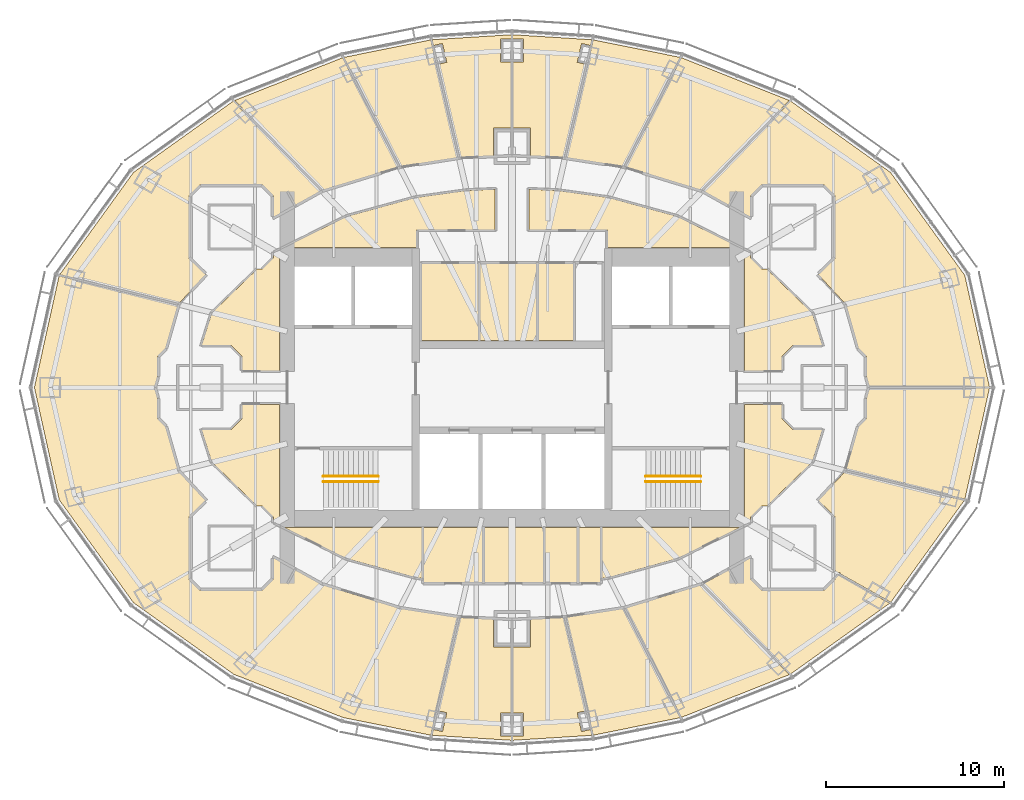
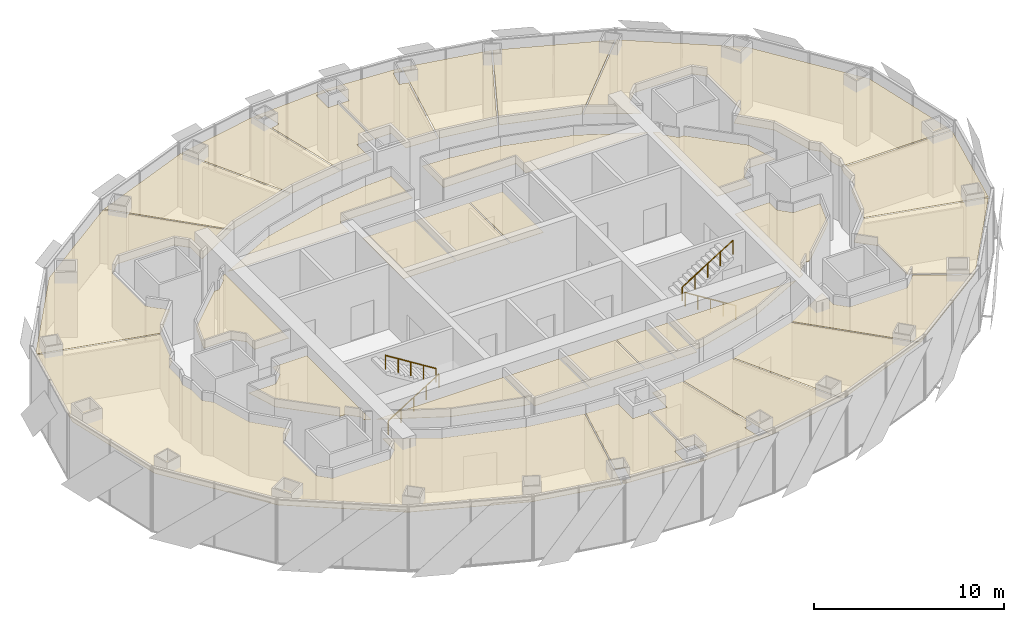
# One storey, part 19 of 19: 31 coverings, 4 railings.
"""IFC4 building model written with IfcOpenShell, lengths in metres."""

from ifc_helpers import new_model, si_unit, direction, frame, origin, origin_2d, place, context, subcontext, project, spatial, polyline, circle, outline, extrude, material, layer, layer_set, type_object, element, save


model = new_model("IFC4")

# Units and contexts
model_context = context("Model", 3, precision=1e-05, world=origin(), true_north=direction((0.0, 1.0)))
body_context = subcontext(model_context, "Body", "Model", "MODEL_VIEW")
ifc_project = project(units=[si_unit("LENGTHUNIT", "METRE"), si_unit("AREAUNIT", "SQUARE_METRE"), si_unit("VOLUMEUNIT", "CUBIC_METRE"), si_unit("PLANEANGLEUNIT", "RADIAN"), si_unit("MASSUNIT", "GRAM", prefix="KILO")], contexts=[model_context])

# Site, building, storey
site_placement = place(None, origin())
site = spatial("IfcSite", under=ifc_project, at=site_placement, CompositionType="ELEMENT")
building_placement = place(site_placement, origin())
building = spatial("IfcBuilding", under=site, at=building_placement, Name="Lantaw Convention Tower", CompositionType="ELEMENT")
storey_placement = place(building_placement, frame((0.0, 0.0, 245.199951171875)))
storey = spatial("IfcBuildingStorey", under=building, at=storey_placement, Name="L57", CompositionType="ELEMENT", Elevation=245.199951171875)

# Railings
ifc_material_1 = material(Name="Stainless steel", Category="steel")
railing_type = type_object("IfcRailingType", Name="Stair handrail", PredefinedType="HANDRAIL", material=ifc_material_1)
railing_1_placement = place(storey_placement, frame((-10.580078125, -5.280029296875, 0.175048828125)))
element("IfcRailing", 1, at=railing_1_placement, inside=storey, type_object=railing_type, Name="Stair handrail S1", PredefinedType="HANDRAIL", context=body_context, shape_type="SweptSolid", body=[
    extrude(circle(Radius=0.02392578125, at=origin_2d()), frame((0.0, 0.0, 0.8759765625), z_axis=(0.847998304005, 0.0, 0.529998940003), x_axis=(0.0, 1.0, 0.0)), (0.0, 0.0, 1.0), 3.632080078125),
    extrude(circle(Radius=0.02099609375, at=origin_2d()), origin(), (0.0, 0.0, 1.0), 0.851806640625),
    extrude(circle(Radius=0.02099609375, at=origin_2d()), frame((0.77001953125, 0.0, 0.481201171875)), (0.0, 0.0, 1.0), 0.851806640625),
    extrude(circle(Radius=0.02099609375, at=origin_2d()), frame((1.5400390625, 0.0, 0.96240234375)), (0.0, 0.0, 1.0), 0.851806640625),
    extrude(circle(Radius=0.02099609375, at=origin_2d()), frame((2.31005859375, 0.0, 1.44384765625)), (0.0, 0.0, 1.0), 0.851806640625),
    extrude(circle(Radius=0.02099609375, at=origin_2d()), frame((3.080078125, 0.0, 1.925048828125)), (0.0, 0.0, 1.0), 0.851806640625),
])
railing_2_placement = place(storey_placement, frame((-7.5, -4.97998046875, 2.275146484375)))
element("IfcRailing", 2, at=railing_2_placement, inside=storey, type_object=railing_type, Name="Stair handrail S1", PredefinedType="HANDRAIL", context=body_context, shape_type="SweptSolid", body=[
    extrude(circle(Radius=0.02392578125, at=origin_2d()), frame((0.0, 0.0, 0.8759765625), z_axis=(-0.848028513186, 0.0, 0.529950602248), x_axis=(0.0, -1.0, 0.0)), (0.0, 0.0, 1.0), 3.632080078125),
    extrude(circle(Radius=0.02099609375, at=origin_2d()), origin(), (0.0, 0.0, 1.0), 0.851806640625),
    extrude(circle(Radius=0.02099609375, at=origin_2d()), frame((-0.77001953125, 0.0, 0.481201171875)), (0.0, 0.0, 1.0), 0.851806640625),
    extrude(circle(Radius=0.02099609375, at=origin_2d()), frame((-1.5400390625, 0.0, 0.96240234375)), (0.0, 0.0, 1.0), 0.851806640625),
    extrude(circle(Radius=0.02099609375, at=origin_2d()), frame((-2.31005859375, 0.0, 1.443603515625)), (0.0, 0.0, 1.0), 0.851806640625),
    extrude(circle(Radius=0.02099609375, at=origin_2d()), frame((-3.080078125, 0.0, 1.9248046875)), (0.0, 0.0, 1.0), 0.851806640625),
])
railing_3_placement = place(storey_placement, frame((10.580078125, -5.280029296875, 0.175048828125)))
element("IfcRailing", 3, at=railing_3_placement, inside=storey, type_object=railing_type, Name="Stair handrail S2", PredefinedType="HANDRAIL", context=body_context, shape_type="SweptSolid", body=[
    extrude(circle(Radius=0.02392578125, at=origin_2d()), frame((0.0, 0.0, 0.8759765625), z_axis=(-0.847998304005, 0.0, 0.529998940003), x_axis=(0.0, -1.0, 0.0)), (0.0, 0.0, 1.0), 3.632080078125),
    extrude(circle(Radius=0.02099609375, at=origin_2d()), origin(), (0.0, 0.0, 1.0), 0.851806640625),
    extrude(circle(Radius=0.02099609375, at=origin_2d()), frame((-0.77001953125, 0.0, 0.481201171875)), (0.0, 0.0, 1.0), 0.851806640625),
    extrude(circle(Radius=0.02099609375, at=origin_2d()), frame((-1.5400390625, 0.0, 0.96240234375)), (0.0, 0.0, 1.0), 0.851806640625),
    extrude(circle(Radius=0.02099609375, at=origin_2d()), frame((-2.31005859375, 0.0, 1.44384765625)), (0.0, 0.0, 1.0), 0.851806640625),
    extrude(circle(Radius=0.02099609375, at=origin_2d()), frame((-3.080078125, 0.0, 1.925048828125)), (0.0, 0.0, 1.0), 0.851806640625),
])
railing_4_placement = place(storey_placement, frame((7.5, -4.97998046875, 2.275146484375)))
element("IfcRailing", 4, at=railing_4_placement, inside=storey, type_object=railing_type, Name="Stair handrail S2", PredefinedType="HANDRAIL", context=body_context, shape_type="SweptSolid", body=[
    extrude(circle(Radius=0.02392578125, at=origin_2d()), frame((0.0, 0.0, 0.8759765625), z_axis=(0.848028513186, 0.0, 0.529950602248), x_axis=(0.0, 1.0, 0.0)), (0.0, 0.0, 1.0), 3.632080078125),
    extrude(circle(Radius=0.02099609375, at=origin_2d()), origin(), (0.0, 0.0, 1.0), 0.851806640625),
    extrude(circle(Radius=0.02099609375, at=origin_2d()), frame((0.77001953125, 0.0, 0.481201171875)), (0.0, 0.0, 1.0), 0.851806640625),
    extrude(circle(Radius=0.02099609375, at=origin_2d()), frame((1.5400390625, 0.0, 0.96240234375)), (0.0, 0.0, 1.0), 0.851806640625),
    extrude(circle(Radius=0.02099609375, at=origin_2d()), frame((2.31005859375, 0.0, 1.443603515625)), (0.0, 0.0, 1.0), 0.851806640625),
    extrude(circle(Radius=0.02099609375, at=origin_2d()), frame((3.080078125, 0.0, 1.9248046875)), (0.0, 0.0, 1.0), 0.851806640625),
])

# Coverings
ifc_material_2 = material(Name="Gypsum board on steel suspension grid", Category="steel")
ifc_layer = layer(ifc_material_2, 0.02001953125)
ifc_layer_set = layer_set([ifc_layer], Name="Suspended ceiling")
covering_type = type_object("IfcCoveringType", Name="Suspended ceiling", PredefinedType="CEILING", material=ifc_layer_set)
covering_1_placement = place(storey_placement, frame((0.0, 0.0, 3.449951171875)))
element("IfcCovering", 5, at=covering_1_placement, inside=storey, type_object=covering_type, Name="Male WC ceiling", PredefinedType="CEILING", context=body_context, shape_type="SweptSolid", body=[
    extrude(outline(polyline([(-5.080078125, 2.639892578125), (-1.88330078125, 2.639892578125), (-1.88330078125, 6.9599609375), (-5.080078125, 6.9599609375), (-5.080078125, 2.639892578125)])), origin(), (0.0, 0.0, 1.0), 0.02001953125),
])
covering_2_placement = place(storey_placement, frame((0.0, 0.0, 3.449951171875)))
element("IfcCovering", 6, at=covering_2_placement, inside=storey, type_object=covering_type, Name="Female WC ceiling", PredefinedType="CEILING", context=body_context, shape_type="SweptSolid", body=[
    extrude(outline(polyline([(-1.80322265625, 2.639892578125), (1.3935546875, 2.639892578125), (1.3935546875, 6.9599609375), (-1.80322265625, 6.9599609375), (-1.80322265625, 2.639892578125)])), origin(), (0.0, 0.0, 1.0), 0.02001953125),
])
covering_3_placement = place(storey_placement, frame((0.0, 0.0, 3.449951171875)))
element("IfcCovering", 7, at=covering_3_placement, inside=storey, type_object=covering_type, Name="Accessible WC ceiling", PredefinedType="CEILING", context=body_context, shape_type="SweptSolid", body=[
    extrude(outline(polyline([(1.4736328125, 2.639892578125), (3.441650390625, 2.639892578125), (3.441650390625, 6.9599609375), (1.4736328125, 6.9599609375), (1.4736328125, 2.639892578125)])), origin(), (0.0, 0.0, 1.0), 0.02001953125),
])
covering_4_placement = place(storey_placement, frame((0.0, 0.0, 3.449951171875)))
element("IfcCovering", 8, at=covering_4_placement, inside=storey, type_object=covering_type, Name="Male WC ceiling", PredefinedType="CEILING", context=body_context, shape_type="SweptSolid", body=[
    extrude(outline(polyline([(-4.9599609375, -10.947021484375), (-1.639892578125, -10.947021484375), (-1.639892578125, -7.840087890625), (-4.9599609375, -7.840087890625), (-4.9599609375, -10.947021484375)])), origin(), (0.0, 0.0, 1.0), 0.02001953125),
])
covering_5_placement = place(storey_placement, frame((0.0, 0.0, 3.449951171875)))
element("IfcCovering", 9, at=covering_5_placement, inside=storey, type_object=covering_type, Name="Female WC ceiling", PredefinedType="CEILING", context=body_context, shape_type="SweptSolid", body=[
    extrude(outline(polyline([(-1.56005859375, -10.947021484375), (1.760009765625, -10.947021484375), (1.760009765625, -7.840087890625), (-1.56005859375, -7.840087890625), (-1.56005859375, -10.947021484375)])), origin(), (0.0, 0.0, 1.0), 0.02001953125),
])
covering_6_placement = place(storey_placement, frame((0.0, 0.0, 3.449951171875)))
element("IfcCovering", 10, at=covering_6_placement, inside=storey, type_object=covering_type, Name="Accessible WC ceiling", PredefinedType="CEILING", context=body_context, shape_type="SweptSolid", body=[
    extrude(outline(polyline([(1.840087890625, -10.947021484375), (3.659912109375, -10.947021484375), (3.659912109375, -7.840087890625), (1.840087890625, -7.840087890625), (1.840087890625, -10.947021484375)])), origin(), (0.0, 0.0, 1.0), 0.02001953125),
])
covering_7_placement = place(storey_placement, frame((0.0, 0.0, 3.449951171875)))
element("IfcCovering", 11, at=covering_7_placement, inside=storey, type_object=covering_type, Name="Pantry ceiling", PredefinedType="CEILING", context=body_context, shape_type="SweptSolid", body=[
    extrude(outline(polyline([(3.739990234375, -10.947021484375), (4.9599609375, -10.947021484375), (4.9599609375, -7.840087890625), (3.739990234375, -7.840087890625), (3.739990234375, -10.947021484375)])), origin(), (0.0, 0.0, 1.0), 0.02001953125),
])
covering_8_placement = place(storey_placement, frame((0.0, 0.0, 3.449951171875)))
element("IfcCovering", 12, at=covering_8_placement, inside=storey, type_object=covering_type, Name="Meeting room ceiling", PredefinedType="CEILING", context=body_context, shape_type="SweptSolid", body=[
    extrude(outline(polyline([(-13.385009765625, -7.518798828125), (-13.3134765625, -7.587890625), (-13.0400390625, -7.723876953125), (-13.0400390625, -0.93994140625), (-15.135009765625, -0.93994140625), (-15.135009765625, -1.7412109375), (-15.7587890625, -2.364990234375), (-17.4091796875, -2.364990234375), (-16.8330078125, -4.18408203125), (-14.298828125, -6.635009765625), (-14.0087890625, -6.635009765625), (-13.385009765625, -7.2587890625), (-13.385009765625, -7.518798828125)])), origin(), (0.0, 0.0, 1.0), 0.02001953125),
])
covering_9_placement = place(storey_placement, frame((0.0, 0.0, 3.449951171875)))
element("IfcCovering", 13, at=covering_9_placement, inside=storey, type_object=covering_type, Name="Project room ceiling", PredefinedType="CEILING", context=body_context, shape_type="SweptSolid", body=[
    extrude(outline(polyline([(-5.0400390625, -7.840087890625), (-12.806396484375, -7.840087890625), (-9.283447265625, -9.590576171875), (-5.437255859375, -10.647705078125), (-5.0400390625, -10.702880859375), (-5.0400390625, -7.840087890625)])), origin(), (0.0, 0.0, 1.0), 0.02001953125),
])
covering_10_placement = place(storey_placement, frame((0.0, 0.0, 3.449951171875)))
element("IfcCovering", 14, at=covering_10_placement, inside=storey, type_object=covering_type, Name="Tenant storage room ceiling", PredefinedType="CEILING", context=body_context, shape_type="SweptSolid", body=[
    extrude(outline(polyline([(5.0400390625, -7.840087890625), (5.0400390625, -10.702880859375), (5.437255859375, -10.647705078125), (9.283447265625, -9.590576171875), (12.806396484375, -7.840087890625), (5.0400390625, -7.840087890625)])), origin(), (0.0, 0.0, 1.0), 0.02001953125),
])
covering_11_placement = place(storey_placement, frame((0.0, 0.0, 3.449951171875)))
element("IfcCovering", 15, at=covering_11_placement, inside=storey, type_object=covering_type, Name="Meeting room ceiling", PredefinedType="CEILING", context=body_context, shape_type="SweptSolid", body=[
    extrude(outline(polyline([(16.8330078125, -4.18408203125), (17.4091796875, -2.364990234375), (15.7587890625, -2.364990234375), (15.135009765625, -1.7412109375), (15.135009765625, -0.93994140625), (13.0400390625, -0.93994140625), (13.0400390625, -7.723876953125), (13.3134765625, -7.587890625), (13.385009765625, -7.518798828125), (13.385009765625, -7.2587890625), (14.0087890625, -6.635009765625), (14.298828125, -6.635009765625), (16.8330078125, -4.18408203125)])), origin(), (0.0, 0.0, 1.0), 0.02001953125),
])
covering_12_placement = place(storey_placement, frame((0.0, 0.0, 3.449951171875)))
element("IfcCovering", 16, at=covering_12_placement, inside=storey, type_object=covering_type, Name="Copy and print room ceiling", PredefinedType="CEILING", context=body_context, shape_type="SweptSolid", body=[
    extrude(outline(polyline([(13.385009765625, 7.518798828125), (13.3134765625, 7.587890625), (13.0400390625, 7.723876953125), (13.0400390625, 0.93994140625), (15.135009765625, 0.93994140625), (15.135009765625, 1.7412109375), (15.7587890625, 2.364990234375), (17.4091796875, 2.364990234375), (16.8330078125, 4.18408203125), (14.298828125, 6.635009765625), (14.0087890625, 6.635009765625), (13.385009765625, 7.2587890625), (13.385009765625, 7.518798828125)])), origin(), (0.0, 0.0, 1.0), 0.02001953125),
])
covering_13_placement = place(storey_placement, frame((0.0, 0.0, 3.449951171875)))
element("IfcCovering", 17, at=covering_13_placement, inside=storey, type_object=covering_type, Name="Project room ceiling", PredefinedType="CEILING", context=body_context, shape_type="SweptSolid", body=[
    extrude(outline(polyline([(5.360107421875, 7.840087890625), (12.806396484375, 7.840087890625), (9.283447265625, 9.590576171875), (5.437255859375, 10.647705078125), (2.556396484375, 11.048828125), (0.93994140625, 11.119140625), (0.93994140625, 8.840087890625), (5.360107421875, 8.840087890625), (5.360107421875, 7.840087890625)])), origin(), (0.0, 0.0, 1.0), 0.02001953125),
])
covering_14_placement = place(storey_placement, frame((0.0, 0.0, 3.449951171875)))
element("IfcCovering", 18, at=covering_14_placement, inside=storey, type_object=covering_type, Name="Meeting room ceiling", PredefinedType="CEILING", context=body_context, shape_type="SweptSolid", body=[
    extrude(outline(polyline([(-12.806396484375, 7.840087890625), (-5.360107421875, 7.840087890625), (-5.360107421875, 8.840087890625), (-0.93994140625, 8.840087890625), (-0.93994140625, 11.119140625), (-2.556396484375, 11.048828125), (-5.437255859375, 10.647705078125), (-9.283447265625, 9.590576171875), (-12.806396484375, 7.840087890625)])), origin(), (0.0, 0.0, 1.0), 0.02001953125),
])
covering_15_placement = place(storey_placement, frame((0.0, 0.0, 3.449951171875)))
element("IfcCovering", 19, at=covering_15_placement, inside=storey, type_object=covering_type, Name="Comms room ceiling", PredefinedType="CEILING", context=body_context, shape_type="SweptSolid", body=[
    extrude(outline(polyline([(-15.135009765625, 1.7412109375), (-15.135009765625, 0.93994140625), (-13.0400390625, 0.93994140625), (-13.0400390625, 7.723876953125), (-13.3134765625, 7.587890625), (-13.385009765625, 7.518798828125), (-13.385009765625, 7.2587890625), (-14.0087890625, 6.635009765625), (-14.298828125, 6.635009765625), (-16.8330078125, 4.18408203125), (-17.4091796875, 2.364990234375), (-15.7587890625, 2.364990234375), (-15.135009765625, 1.7412109375)])), origin(), (0.0, 0.0, 1.0), 0.02001953125),
])
covering_16_placement = place(storey_placement, frame((0.0, 0.0, 3.449951171875)))
element("IfcCovering", 20, at=covering_16_placement, inside=storey, type_object=covering_type, Name="Reception ceiling", PredefinedType="CEILING", context=body_context, shape_type="SweptSolid", body=[
    extrude(outline(polyline([(17.1728515625, 6.328125), (18.709228515625, 4.676025390625), (19.418212890625, 2.18798828125), (19.864990234375, 1.7412109375), (19.864990234375, 0.61962890625), (20.0302734375, 0.0400390625), (26.77099609375, 0.0400390625), (25.388916015625, 6.290283203125), (21.224365234375, 12.061767578125), (15.62890625, 16.059326171875), (10.6982421875, 11.020263671875), (13.385009765625, 9.533935546875), (13.385009765625, 10.7412109375), (14.0087890625, 11.364990234375), (17.4912109375, 11.364990234375), (18.114990234375, 10.7412109375), (18.114990234375, 7.2587890625), (17.4912109375, 6.635009765625), (17.47900390625, 6.635009765625), (17.1728515625, 6.328125)])), origin(), (0.0, 0.0, 1.0), 0.02001953125),
])
covering_17_placement = place(storey_placement, frame((0.0, 0.0, 3.449951171875)))
element("IfcCovering", 21, at=covering_17_placement, inside=storey, type_object=covering_type, Name="Private office ceiling", PredefinedType="CEILING", context=body_context, shape_type="SweptSolid", body=[
    extrude(outline(polyline([(10.621337890625, 11.055908203125), (15.553466796875, 16.096923828125), (9.503173828125, 18.49267578125), (6.345458984375, 12.364990234375), (10.621337890625, 11.055908203125)])), origin(), (0.0, 0.0, 1.0), 0.02001953125),
])
covering_18_placement = place(storey_placement, frame((0.0, 0.0, 3.449951171875)))
element("IfcCovering", 22, at=covering_18_placement, inside=storey, type_object=covering_type, Name="Private office ceiling", PredefinedType="CEILING", context=body_context, shape_type="SweptSolid", body=[
    extrude(outline(polyline([(6.265625, 12.384765625), (9.42431640625, 18.514404296875), (4.55859375, 19.492919921875), (3.016845703125, 12.888916015625), (6.265625, 12.384765625)])), origin(), (0.0, 0.0, 1.0), 0.02001953125),
])
covering_19_placement = place(storey_placement, frame((0.0, 0.0, 3.449951171875)))
element("IfcCovering", 23, at=covering_19_placement, inside=storey, type_object=covering_type, Name="Private office ceiling", PredefinedType="CEILING", context=body_context, shape_type="SweptSolid", body=[
    extrude(outline(polyline([(1.0400390625, 12.989501953125), (2.936767578125, 12.897705078125), (4.15625, 18.121826171875), (3.65625, 18.2373046875), (3.899169921875, 19.28955078125), (4.40185546875, 19.173583984375), (4.478759765625, 19.5029296875), (0.0400390625, 19.781982421875), (0.0400390625, 19.5400390625), (0.639892578125, 19.5400390625), (0.639892578125, 18.260009765625), (0.0400390625, 18.260009765625), (0.0400390625, 14.5400390625), (1.0400390625, 14.5400390625), (1.0400390625, 12.989501953125)])), origin(), (0.0, 0.0, 1.0), 0.02001953125),
])
covering_20_placement = place(storey_placement, frame((0.0, 0.0, 3.449951171875)))
element("IfcCovering", 24, at=covering_20_placement, inside=storey, type_object=covering_type, Name="Private office ceiling", PredefinedType="CEILING", context=body_context, shape_type="SweptSolid", body=[
    extrude(outline(polyline([(-2.936767578125, 12.897705078125), (-1.0400390625, 12.989501953125), (-1.0400390625, 14.5400390625), (-0.0400390625, 14.5400390625), (-0.0400390625, 18.260009765625), (-0.639892578125, 18.260009765625), (-0.639892578125, 19.5400390625), (-0.0400390625, 19.5400390625), (-0.0400390625, 19.781982421875), (-4.478759765625, 19.5029296875), (-4.40185546875, 19.173583984375), (-3.899169921875, 19.28955078125), (-3.65625, 18.2373046875), (-4.15625, 18.121826171875), (-2.936767578125, 12.897705078125)])), origin(), (0.0, 0.0, 1.0), 0.02001953125),
])
covering_21_placement = place(storey_placement, frame((0.0, 0.0, 3.449951171875)))
element("IfcCovering", 25, at=covering_21_placement, inside=storey, type_object=covering_type, Name="Private office ceiling", PredefinedType="CEILING", context=body_context, shape_type="SweptSolid", body=[
    extrude(outline(polyline([(-3.016845703125, 12.888916015625), (-4.55859375, 19.492919921875), (-9.42431640625, 18.514404296875), (-6.265625, 12.384765625), (-3.016845703125, 12.888916015625)])), origin(), (0.0, 0.0, 1.0), 0.02001953125),
])
covering_22_placement = place(storey_placement, frame((0.0, 0.0, 3.449951171875)))
element("IfcCovering", 26, at=covering_22_placement, inside=storey, type_object=covering_type, Name="Private office ceiling", PredefinedType="CEILING", context=body_context, shape_type="SweptSolid", body=[
    extrude(outline(polyline([(-6.345458984375, 12.364990234375), (-9.503173828125, 18.49267578125), (-15.553466796875, 16.096923828125), (-10.621337890625, 11.055908203125), (-6.345458984375, 12.364990234375)])), origin(), (0.0, 0.0, 1.0), 0.02001953125),
])
covering_23_placement = place(storey_placement, frame((0.0, 0.0, 3.449951171875)))
element("IfcCovering", 27, at=covering_23_placement, inside=storey, type_object=covering_type, Name="Meeting room ceiling", PredefinedType="CEILING", context=body_context, shape_type="SweptSolid", body=[
    extrude(outline(polyline([(-17.47900390625, 6.635009765625), (-17.4912109375, 6.635009765625), (-18.114990234375, 7.2587890625), (-18.114990234375, 10.7412109375), (-17.4912109375, 11.364990234375), (-14.0087890625, 11.364990234375), (-13.385009765625, 10.7412109375), (-13.385009765625, 9.533935546875), (-10.6982421875, 11.020263671875), (-15.62890625, 16.059326171875), (-21.224365234375, 12.061767578125), (-25.359130859375, 6.331787109375), (-18.686767578125, 4.7001953125), (-17.1728515625, 6.328125), (-17.47900390625, 6.635009765625)])), origin(), (0.0, 0.0, 1.0), 0.02001953125),
])
covering_24_placement = place(storey_placement, frame((0.0, 0.0, 3.449951171875)))
element("IfcCovering", 28, at=covering_24_placement, inside=storey, type_object=covering_type, Name="Open office ceiling", PredefinedType="CEILING", context=body_context, shape_type="SweptSolid", body=[
    extrude(outline(polyline([(-19.864990234375, 0.61962890625), (-19.864990234375, 1.7412109375), (-19.418212890625, 2.18798828125), (-18.72314453125, 4.626708984375), (-25.39599609375, 6.258544921875), (-26.77978515625, 0.0), (-25.388916015625, -6.290283203125), (-21.224365234375, -12.061767578125), (-15.60498046875, -16.076416015625), (-9.472900390625, -18.504638671875), (-4.55859375, -19.492919921875), (-3.016845703125, -12.888916015625), (-6.296875, -12.3798828125), (-10.6484375, -11.047607421875), (-13.385009765625, -9.533935546875), (-13.385009765625, -10.7412109375), (-14.0087890625, -11.364990234375), (-17.4912109375, -11.364990234375), (-18.114990234375, -10.7412109375), (-18.114990234375, -7.2587890625), (-17.4912109375, -6.635009765625), (-17.47900390625, -6.635009765625), (-17.1728515625, -6.328125), (-18.709228515625, -4.676025390625), (-19.418212890625, -2.18798828125), (-19.864990234375, -1.7412109375), (-19.864990234375, -0.61962890625), (-20.04150390625, 0.0), (-19.864990234375, 0.61962890625)])), origin(), (0.0, 0.0, 1.0), 0.02001953125),
])
covering_25_placement = place(storey_placement, frame((0.0, 0.0, 3.449951171875)))
element("IfcCovering", 29, at=covering_25_placement, inside=storey, type_object=covering_type, Name="Private office ceiling", PredefinedType="CEILING", context=body_context, shape_type="SweptSolid", body=[
    extrude(outline(polyline([(-1.0400390625, -12.989501953125), (-2.936767578125, -12.897705078125), (-4.15625, -18.121826171875), (-3.65625, -18.2373046875), (-3.899169921875, -19.28955078125), (-4.40185546875, -19.173583984375), (-4.478759765625, -19.5029296875), (-0.0400390625, -19.781982421875), (-0.0400390625, -19.5400390625), (-0.639892578125, -19.5400390625), (-0.639892578125, -18.260009765625), (-0.0400390625, -18.260009765625), (-0.0400390625, -14.5400390625), (-1.0400390625, -14.5400390625), (-1.0400390625, -12.989501953125)])), origin(), (0.0, 0.0, 1.0), 0.02001953125),
])
covering_26_placement = place(storey_placement, frame((0.0, 0.0, 3.449951171875)))
element("IfcCovering", 30, at=covering_26_placement, inside=storey, type_object=covering_type, Name="Private office ceiling", PredefinedType="CEILING", context=body_context, shape_type="SweptSolid", body=[
    extrude(outline(polyline([(2.936767578125, -12.897705078125), (1.0400390625, -12.989501953125), (1.0400390625, -14.5400390625), (0.0400390625, -14.5400390625), (0.0400390625, -18.260009765625), (0.639892578125, -18.260009765625), (0.639892578125, -19.5400390625), (0.0400390625, -19.5400390625), (0.0400390625, -19.781982421875), (4.478759765625, -19.5029296875), (4.40185546875, -19.173583984375), (3.899169921875, -19.28955078125), (3.65625, -18.2373046875), (4.15625, -18.121826171875), (2.936767578125, -12.897705078125)])), origin(), (0.0, 0.0, 1.0), 0.02001953125),
])
covering_27_placement = place(storey_placement, frame((0.0, 0.0, 3.449951171875)))
element("IfcCovering", 31, at=covering_27_placement, inside=storey, type_object=covering_type, Name="Private office ceiling", PredefinedType="CEILING", context=body_context, shape_type="SweptSolid", body=[
    extrude(outline(polyline([(3.016845703125, -12.888916015625), (4.55859375, -19.492919921875), (9.42431640625, -18.514404296875), (6.265625, -12.384765625), (3.016845703125, -12.888916015625)])), origin(), (0.0, 0.0, 1.0), 0.02001953125),
])
covering_28_placement = place(storey_placement, frame((0.0, 0.0, 3.449951171875)))
element("IfcCovering", 32, at=covering_28_placement, inside=storey, type_object=covering_type, Name="Private office ceiling", PredefinedType="CEILING", context=body_context, shape_type="SweptSolid", body=[
    extrude(outline(polyline([(6.345458984375, -12.364990234375), (9.503173828125, -18.49267578125), (15.553466796875, -16.096923828125), (10.621337890625, -11.055908203125), (6.345458984375, -12.364990234375)])), origin(), (0.0, 0.0, 1.0), 0.02001953125),
])
covering_29_placement = place(storey_placement, frame((0.0, 0.0, 3.449951171875)))
element("IfcCovering", 33, at=covering_29_placement, inside=storey, type_object=covering_type, Name="Private office ceiling", PredefinedType="CEILING", context=body_context, shape_type="SweptSolid", body=[
    extrude(outline(polyline([(13.385009765625, -10.7412109375), (13.385009765625, -9.533935546875), (10.6982421875, -11.020263671875), (15.62890625, -16.059326171875), (21.178466796875, -12.094482421875), (18.344970703125, -10.499755859375), (18.114990234375, -10.72900390625), (18.114990234375, -10.7412109375), (17.4912109375, -11.364990234375), (14.0087890625, -11.364990234375), (13.385009765625, -10.7412109375)])), origin(), (0.0, 0.0, 1.0), 0.02001953125),
])
covering_30_placement = place(storey_placement, frame((0.0, 0.0, 3.449951171875)))
element("IfcCovering", 34, at=covering_30_placement, inside=storey, type_object=covering_type, Name="Pantry ceiling", PredefinedType="CEILING", context=body_context, shape_type="SweptSolid", body=[
    extrude(outline(polyline([(17.47900390625, -6.635009765625), (17.4912109375, -6.635009765625), (18.114990234375, -7.2587890625), (18.114990234375, -10.278564453125), (18.32763671875, -10.3984375), (18.34423828125, -10.3818359375), (18.3974609375, -10.373779296875), (18.40966796875, -10.435302734375), (18.40380859375, -10.441162109375), (21.241455078125, -12.0380859375), (25.359130859375, -6.331787109375), (18.686767578125, -4.7001953125), (17.1728515625, -6.328125), (17.47900390625, -6.635009765625)])), origin(), (0.0, 0.0, 1.0), 0.02001953125),
])
covering_31_placement = place(storey_placement, frame((0.0, 0.0, 3.449951171875)))
element("IfcCovering", 35, at=covering_31_placement, inside=storey, type_object=covering_type, Name="Quiet room ceiling", PredefinedType="CEILING", context=body_context, shape_type="SweptSolid", body=[
    extrude(outline(polyline([(19.418212890625, -2.18798828125), (18.72314453125, -4.626708984375), (25.39599609375, -6.258544921875), (26.77099609375, -0.0400390625), (20.0302734375, -0.0400390625), (19.864990234375, -0.61962890625), (19.864990234375, -1.7412109375), (19.418212890625, -2.18798828125)])), origin(), (0.0, 0.0, 1.0), 0.02001953125),
])

save(model, "model.ifc")
